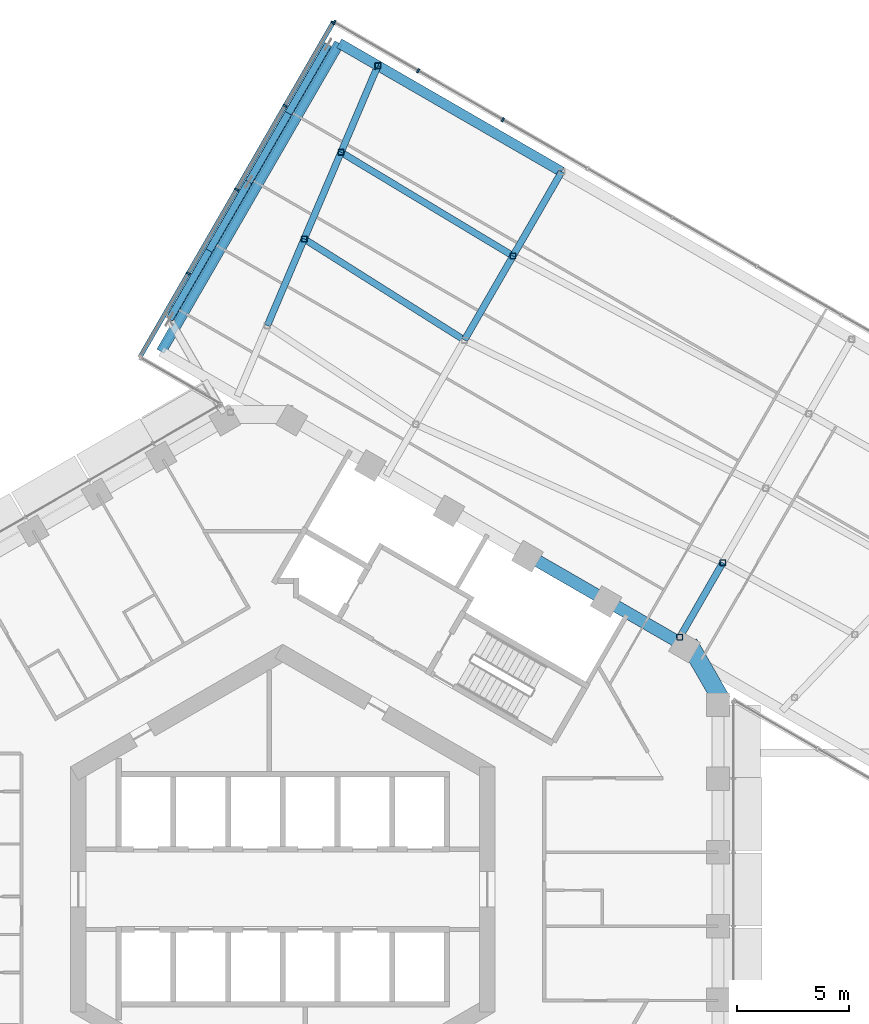
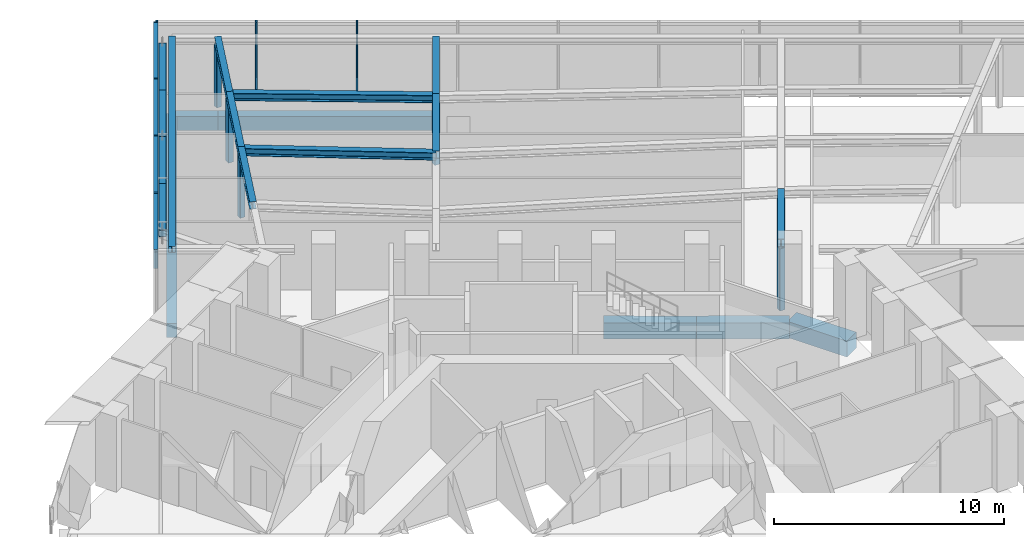
# One storey, part 6 of 28: 18 members, 15 beams, 2 elements without a shape of their own.
"""IFC4 building model written with IfcOpenShell, lengths in metres."""

from ifc_helpers import new_model, si_unit, direction, frame, origin, origin_2d, place, context, subcontext, project, spatial, rectangle, hollow_rectangle, i_section, extrude, material, layer, layer_set, material_profile, profile_set, type_object, element, aggregate, save


model = new_model("IFC4")

# Units and contexts
model_context = context("Model", 3, precision=1e-05, world=origin(), true_north=direction((0.0, 1.0)))
body_context = subcontext(model_context, "Body", "Model", "MODEL_VIEW")
ifc_project = project(units=[si_unit("LENGTHUNIT", "METRE"), si_unit("AREAUNIT", "SQUARE_METRE"), si_unit("VOLUMEUNIT", "CUBIC_METRE"), si_unit("PLANEANGLEUNIT", "RADIAN"), si_unit("MASSUNIT", "GRAM", prefix="KILO")], contexts=[model_context])

# Site, building, storey
site_placement = place(None, origin())
site = spatial("IfcSite", under=ifc_project, at=site_placement, CompositionType="ELEMENT")
building_placement = place(site_placement, origin())
building = spatial("IfcBuilding", under=site, at=building_placement, Name="Ayvan Gate Tower", CompositionType="ELEMENT")
storey_placement = place(building_placement, frame((0.0, 0.0, 143.89990234375)))
storey = spatial("IfcBuildingStorey", under=building, at=storey_placement, Name="L38", CompositionType="ELEMENT", Elevation=143.89990234375)

# Beams
ifc_material_1 = material(Name="Concrete C40/50", Category="concrete")
ifc_material_profile_1 = material_profile(ifc_material_1, rectangle(XDim=0.800048828125, YDim=0.85009765625, at=origin_2d()), Name="RC 800x850")
ifc_profile_set_1 = profile_set([ifc_material_profile_1], Name="Concrete C40/50")
beam_type_1 = type_object("IfcBeamType", Name="Corner spandrel beam RC 800x850 C40/50", PredefinedType="BEAM", material=ifc_profile_set_1)
beam_1_placement = place(storey_placement, frame((19.676025390625, 8.419189453125, -0.824951171875), z_axis=(-0.50002537861, 0.866010750942, 0.0), x_axis=(-0.866010750942, -0.50002537861, 0.0)))
element("IfcBeam", 1, at=beam_1_placement, inside=storey, type_object=beam_type_1, Name="SB-L38-6", PredefinedType="BEAM", context=body_context, shape_type="SweptSolid", body=[
    extrude(rectangle(XDim=0.800048828125, YDim=0.85009765625, at=origin_2d()), origin(), (0.0, 0.0, 1.0), 2.999755859375),
])
ifc_material_profile_2 = material_profile(ifc_material_1, rectangle(XDim=0.449951171875, YDim=0.75, at=origin_2d()), Name="RC 450x750")
ifc_profile_set_2 = profile_set([ifc_material_profile_2], Name="Concrete C40/50")
beam_type_2 = type_object("IfcBeamType", Name="Sky bar edge beam RC 450x750 C40/50", PredefinedType="BEAM", material=ifc_profile_set_2)
beam_2_placement = place(storey_placement, frame((-5.44384765625, 24.071044921875, -0.77490234375), z_axis=(0.500005296564, 0.86602234579, 0.0), x_axis=(-0.86602234579, 0.500005296564, 0.0)))
element("IfcBeam", 2, at=beam_2_placement, inside=storey, type_object=beam_type_2, Name="EB-B3-L38-2", PredefinedType="BEAM", context=body_context, shape_type="SweptSolid", body=[
    extrude(rectangle(XDim=0.449951171875, YDim=0.75, at=origin_2d()), origin(), (0.0, 0.0, 1.0), 15.939697265625),
])
beam_3_placement = place(storey_placement, frame((2.526123046875, 37.875244140625, -0.77490234375), z_axis=(0.866010750942, -0.50002537861, 0.0), x_axis=(0.50002537861, 0.866010750942, 0.0)))
element("IfcBeam", 3, at=beam_3_placement, inside=storey, type_object=beam_type_2, Name="EB-B3-L38-3", PredefinedType="BEAM", context=body_context, shape_type="SweptSolid", body=[
    extrude(rectangle(XDim=0.449951171875, YDim=0.75, at=origin_2d()), origin(), (0.0, 0.0, 1.0), 2.0),
])
beam_4_placement = place(storey_placement, frame((4.258056640625, 36.875244140625, -0.77490234375), z_axis=(0.86602681393, -0.499997557548, 0.0), x_axis=(0.499997557548, 0.86602681393, 0.0)))
element("IfcBeam", 4, at=beam_4_placement, inside=storey, type_object=beam_type_2, Name="EB-B3-L38-4", PredefinedType="BEAM", context=body_context, shape_type="SweptSolid", body=[
    extrude(rectangle(XDim=0.449951171875, YDim=0.75, at=origin_2d()), origin(), (0.0, 0.0, 1.0), 9.5),
])
ifc_material_2 = material(Name="Steel S460ML", Category="steel")
ifc_material_profile_3 = material_profile(ifc_material_2, i_section(OverallWidth=0.300048828125, OverallDepth=0.39990234375, WebThickness=0.013427734375, FlangeThickness=0.02392578125, FilletRadius=0.027099609375, at=origin_2d()), Name="HE 400 B")
ifc_profile_set_3 = profile_set([ifc_material_profile_3], Name="Steel S460ML")
beam_type_3 = type_object("IfcBeamType", Name="Sky bar roof beam B3 HE 400 B", PredefinedType="BEAM", material=ifc_profile_set_3)
beam_5_placement = place(storey_placement, frame((17.775390625, 11.287841796875, 3.5), z_axis=(0.500006057782, 0.866021906294, 0.0), x_axis=(-0.866021906294, 0.500006057782, 0.0)))
element("IfcBeam", 5, at=beam_5_placement, inside=storey, type_object=beam_type_3, Name="RB-B3-SBT3-2-1", PredefinedType="BEAM", context=body_context, shape_type="SweptSolid", body=[
    extrude(i_section(OverallWidth=0.300048828125, OverallDepth=0.39990234375, WebThickness=0.013427734375, FlangeThickness=0.02392578125, FilletRadius=0.027099609375, at=origin_2d()), origin(), (0.0, 0.0, 1.0), 3.85009765625),
])
for number, where, z_axis, x_axis, name in (
    (6, (8.132568359375, 24.5859375, 3.5), (0.499963591512, 0.866046423214, 0.0), (-0.866046423214, 0.499963591512, 0.0), "RB-B3-SBT3-3-3"),
    (7, (10.308837890625, 28.355712890625, 3.5), (0.500029944444, 0.866008114662, 0.0), (-0.866008114662, 0.500029944444, 0.0), "RB-B3-SBT3-3-4"),
):
    element("IfcBeam", number, at=place(storey_placement, frame(where, z_axis=z_axis, x_axis=x_axis)), inside=storey, type_object=beam_type_3, Name=name, PredefinedType="BEAM", context=body_context, shape_type="SweptSolid", body=[
        extrude(i_section(OverallWidth=0.300048828125, OverallDepth=0.39990234375, WebThickness=0.013427734375, FlangeThickness=0.02392578125, FilletRadius=0.027099609375, at=origin_2d()), origin(), (0.0, 0.0, 1.0), 4.352783203125),
    ])
for number, where, z_axis, x_axis, name in (
    (8, (-0.691162109375, 25.236328125, 3.5), (0.391303728863, 0.920261588777, 0.0), (-0.920261588777, 0.391303728863, 0.0), "RB-B3-SBT3-4-2"),
    (9, (0.95849609375, 29.115966796875, 3.5), (0.391352770832, 0.920240734136, 0.0), (-0.920240734136, 0.391352770832, 0.0), "RB-B3-SBT3-4-3"),
    (10, (2.6083984375, 32.99560546875, 3.5), (0.391303728863, 0.920261588777, 0.0), (-0.920261588777, 0.391303728863, 0.0), "RB-B3-SBT3-4-4"),
):
    element("IfcBeam", number, at=place(storey_placement, frame(where, z_axis=z_axis, x_axis=x_axis)), inside=storey, type_object=beam_type_3, Name=name, PredefinedType="BEAM", context=body_context, shape_type="SweptSolid", body=[
        extrude(i_section(OverallWidth=0.300048828125, OverallDepth=0.39990234375, WebThickness=0.013427734375, FlangeThickness=0.02392578125, FilletRadius=0.027099609375, at=origin_2d()), origin(), (0.0, 0.0, 1.0), 4.2158203125),
    ])
beam_6_placement = place(storey_placement, frame((10.308837890625, 28.355712890625, 3.5), z_axis=(-0.856528182715, 0.516100254035, 0.0), x_axis=(-0.516100254035, -0.856528182715, 0.0)))
element("IfcBeam", 11, at=beam_6_placement, inside=storey, type_object=beam_type_3, Name="RX-B3-34-2", PredefinedType="BEAM", context=body_context, shape_type="SweptSolid", body=[
    extrude(i_section(OverallWidth=0.300048828125, OverallDepth=0.39990234375, WebThickness=0.013427734375, FlangeThickness=0.02392578125, FilletRadius=0.027099609375, at=origin_2d()), origin(), (0.0, 0.0, 1.0), 8.990234375),
])
beam_7_placement = place(storey_placement, frame((8.132568359375, 24.5859375, 3.5), z_axis=(-0.84554018051, 0.53391179341, 0.0), x_axis=(-0.53391179341, -0.84554018051, 0.0)))
element("IfcBeam", 12, at=beam_7_placement, inside=storey, type_object=beam_type_3, Name="RX-B3-34-3", PredefinedType="BEAM", context=body_context, shape_type="SweptSolid", body=[
    extrude(i_section(OverallWidth=0.300048828125, OverallDepth=0.39990234375, WebThickness=0.013427734375, FlangeThickness=0.02392578125, FilletRadius=0.027099609375, at=origin_2d()), origin(), (0.0, 0.0, 1.0), 8.484619140625),
])
ifc_material_profile_4 = material_profile(ifc_material_2, i_section(OverallWidth=0.300048828125, OverallDepth=0.340087890625, WebThickness=0.011962890625, FlangeThickness=0.021484375, FilletRadius=0.027099609375, at=origin_2d()), Name="HE 340 B")
ifc_profile_set_4 = profile_set([ifc_material_profile_4], Name="Steel S460ML")
beam_type_4 = type_object("IfcBeamType", Name="Sky bar roof edge beam B3 HE 340 B", PredefinedType="BEAM", material=ifc_profile_set_4)
beam_8_placement = place(storey_placement, frame((-5.44384765625, 24.071044921875, 3.530029296875), z_axis=(0.500005296564, 0.86602234579, 0.0), x_axis=(-0.86602234579, 0.500005296564, 0.0)))
element("IfcBeam", 13, at=beam_8_placement, inside=storey, type_object=beam_type_4, Name="RE-B3-1-2", PredefinedType="BEAM", context=body_context, shape_type="SweptSolid", body=[
    extrude(i_section(OverallWidth=0.300048828125, OverallDepth=0.340087890625, WebThickness=0.011962890625, FlangeThickness=0.021484375, FilletRadius=0.027099609375, at=origin_2d()), origin(), (0.0, 0.0, 1.0), 15.939697265625),
])

# Members
ifc_material_3 = material(Name="Steel S460NH", Category="steel")
ifc_material_profile_5 = material_profile(ifc_material_3, hollow_rectangle(XDim=0.260009765625, YDim=0.260009765625, WallThickness=0.012451171875, InnerFilletRadius=0.012451171875, OuterFilletRadius=0.018798828125, at=origin_2d()), Name="RHS 260x260x12.5")
ifc_profile_set_5 = profile_set([ifc_material_profile_5], Name="Steel S460NH")
member_type_1 = type_object("IfcMemberType", Name="Sky bar roof post B3 RHS 260x260x12.5", PredefinedType="POST", material=ifc_profile_set_5)
for number, where, z_axis, x_axis, name in (
    (14, (17.775390625, 11.287841796875, 0.0), (0.0, 0.0, 1.0), (1.0, 0.0, 0.0), "RP-B3-SBT3-2-1"),
    (15, (19.700439453125, 14.6220703125, 0.0), (0.0, 0.0, 1.0), (1.0, 0.0, 0.0), "RP-B3-SBT3-2-2"),
    (16, (10.308837890625, 28.355712890625, 0.0), (0.0, 0.0, 1.0), (1.0, 0.0, 0.0), "RP-B3-SBT3-3-3"),
    (17, (0.95849609375, 29.115966796875, 0.0), (0.0, 0.0, 1.0), (1.0, 0.0, 0.0), "RP-B3-SBT3-4-3"),
    (18, (2.6083984375, 32.99560546875, 0.0), (0.0, 0.0, 1.0), (1.0, 0.0, 0.0), "RP-B3-SBT3-4-4"),
    (19, (4.258056640625, 36.875244140625, 0.0), (0.0, 0.0, 1.0), (1.0, 0.0, 0.0), "RP-B3-SBT3-4-5"),
):
    element("IfcMember", number, at=place(storey_placement, frame(where, z_axis=z_axis, x_axis=x_axis)), inside=storey, type_object=member_type_1, Name=name, PredefinedType="POST", context=body_context, shape_type="SweptSolid", body=[
        extrude(hollow_rectangle(XDim=0.260009765625, YDim=0.260009765625, WallThickness=0.012451171875, InnerFilletRadius=0.012451171875, OuterFilletRadius=0.018798828125, at=origin_2d()), origin(), (0.0, 0.0, 1.0), 3.300048828125),
    ])
ifc_material_profile_6 = material_profile(ifc_material_3, hollow_rectangle(XDim=0.35009765625, YDim=0.35009765625, WallThickness=0.01611328125, InnerFilletRadius=0.01611328125, OuterFilletRadius=0.02392578125, at=origin_2d()), Name="RHS 350x350x16")
ifc_profile_set_6 = profile_set([ifc_material_profile_6], Name="Steel S460NH")
member_type_2 = type_object("IfcMemberType", Name="Sky bar truss brace B3 RHS 350x350x16", PredefinedType="BRACE", material=ifc_profile_set_6)
for number, where, z_axis, x_axis, name in (
    (20, (-5.07470703125, 25.520263671875, 3.375), (0.499970499736, 0.8660424351, 0.0), (-0.8660424351, 0.499970499736, 0.0), "SBX3-A-TC-2"),
    (21, (-3.2998046875, 28.5947265625, 3.375), (0.500022077904, 0.866012656725, 0.0), (-0.866012656725, 0.500022077904, 0.0), "SBX3-A-TC-3"),
    (22, (-1.524658203125, 31.669189453125, 3.375), (0.499970499736, 0.8660424351, 0.0), (-0.8660424351, 0.499970499736, 0.0), "SBX3-A-TC-4"),
):
    element("IfcMember", number, at=place(storey_placement, frame(where, z_axis=z_axis, x_axis=x_axis)), inside=storey, type_object=member_type_2, Name=name, PredefinedType="CHORD", context=body_context, shape_type="SweptSolid", body=[
        extrude(hollow_rectangle(XDim=0.35009765625, YDim=0.35009765625, WallThickness=0.01611328125, InnerFilletRadius=0.01611328125, OuterFilletRadius=0.02392578125, at=origin_2d()), origin(), (0.0, 0.0, 1.0), 3.550048828125),
    ])
member_1_placement = place(storey_placement, frame((0.250244140625, 34.74365234375, 3.375), z_axis=(0.500051858269, 0.865995461329, 0.0), x_axis=(-0.865995461329, 0.500051858269, 0.0)))
element("IfcMember", 23, at=member_1_placement, inside=storey, type_object=member_type_2, Name="SBX3-A-TC-5", PredefinedType="CHORD", context=body_context, shape_type="SweptSolid", body=[
    extrude(hollow_rectangle(XDim=0.35009765625, YDim=0.35009765625, WallThickness=0.01611328125, InnerFilletRadius=0.01611328125, OuterFilletRadius=0.02392578125, at=origin_2d()), origin(), (0.0, 0.0, 1.0), 3.5498046875),
])

# Beams
ifc_material_profile_7 = material_profile(ifc_material_1, rectangle(XDim=0.550048828125, YDim=0.85009765625, at=origin_2d()), Name="RC 550x850")
ifc_profile_set_7 = profile_set([ifc_material_profile_7], Name="Concrete C40/50")
beam_type_5 = type_object("IfcBeamType", Name="Spandrel beam RC 550x850 C40/50", PredefinedType="BEAM", material=ifc_profile_set_7)
beam_9_placement = place(storey_placement, frame((17.985595703125, 10.9072265625, -0.824951171875), z_axis=(-0.866037985928, 0.499978206455, 0.0), x_axis=(-0.499978206455, -0.866037985928, 0.0)))
element("IfcBeam", 24, at=beam_9_placement, inside=storey, type_object=beam_type_5, Name="SB-L38-7", PredefinedType="BEAM", context=body_context, shape_type="SweptSolid", body=[
    extrude(rectangle(XDim=0.550048828125, YDim=0.85009765625, at=origin_2d()), origin(), (0.0, 0.0, 1.0), 4.049072265625),
])
beam_10_placement = place(storey_placement, frame((14.47900390625, 12.931640625, -0.824951171875), z_axis=(-0.866022911947, 0.500004315964, 0.0), x_axis=(-0.500004315964, -0.866022911947, 0.0)))
element("IfcBeam", 25, at=beam_10_placement, inside=storey, type_object=beam_type_5, Name="SB-L38-8", PredefinedType="BEAM", context=body_context, shape_type="SweptSolid", body=[
    extrude(rectangle(XDim=0.550048828125, YDim=0.85009765625, at=origin_2d()), origin(), (0.0, 0.0, 1.0), 4.048828125),
])

# Curtain wall, members
ifc_material_4 = material(Name="Bronze anodised aluminium", Category="aluminium")
ifc_layer = layer(ifc_material_4, 0.199951171875)
ifc_layer_set = layer_set([ifc_layer], Name="Bronze anodised aluminium")
curtain_wall_type = type_object("IfcCurtainWallType", Name="Stick curtain wall CW-4", PredefinedType="NOTDEFINED", material=ifc_layer_set)
curtain_wall_1_placement = place(storey_placement, origin())
curtain_wall_1 = element("IfcCurtainWall", 26, at=curtain_wall_1_placement, inside=storey, type_object=curtain_wall_type, Name="Stick curtain wall CW-4 L38", PredefinedType="NOTDEFINED")
ifc_material_profile_8 = material_profile(ifc_material_4, rectangle(XDim=0.199951171875, YDim=0.080078125, at=origin_2d()), Name="Stick curtain wall CW-4 mullion 200 x 80")
ifc_profile_set_8 = profile_set([ifc_material_profile_8], Name="Bronze anodised aluminium")
member_type_3 = type_object("IfcMemberType", Name="Stick curtain wall CW-4 mullion 200 x 80", PredefinedType="MULLION", material=ifc_profile_set_8)
member_2_placement = place(storey_placement, frame((9.852294921875, 34.45361328125, 0.0), z_axis=(0.0, 0.0, 1.0), x_axis=(0.5, 0.866025403784, 0.0)))
member_2 = element("IfcMember", 27, at=member_2_placement, type_object=member_type_3, Name="CW-4 mullion 8", PredefinedType="MULLION", context=body_context, shape_type="SweptSolid", body=[
    extrude(rectangle(XDim=0.199951171875, YDim=0.080078125, at=origin_2d()), origin(), (0.0, 0.0, 1.0), 4.0),
])
member_3_placement = place(storey_placement, frame((6.06103515625, 36.642578125, 0.0), z_axis=(0.0, 0.0, 1.0), x_axis=(0.5, 0.866025403784, 0.0)))
member_3 = element("IfcMember", 28, at=member_3_placement, type_object=member_type_3, Name="CW-4 mullion 9", PredefinedType="MULLION", context=body_context, shape_type="SweptSolid", body=[
    extrude(rectangle(XDim=0.199951171875, YDim=0.080078125, at=origin_2d()), origin(), (0.0, 0.0, 1.0), 4.0),
])
member_4_placement = place(storey_placement, frame((2.304443359375, 38.8115234375, 0.0), z_axis=(0.0, 0.0, 1.0), x_axis=(0.5, 0.866025403784, 0.0)))
member_4 = element("IfcMember", 29, at=member_4_placement, type_object=member_type_3, Name="CW-4 mullion 10", PredefinedType="MULLION", context=body_context, shape_type="SweptSolid", body=[
    extrude(rectangle(XDim=0.199951171875, YDim=0.080078125, at=origin_2d()), origin(), (0.0, 0.0, 1.0), 4.0),
])
aggregate(curtain_wall_1, [member_2, member_3, member_4])

curtain_wall_2_placement = place(storey_placement, origin())
curtain_wall_2 = element("IfcCurtainWall", 30, at=curtain_wall_2_placement, inside=storey, type_object=curtain_wall_type, Name="Stick curtain wall CW-4 L38", PredefinedType="NOTDEFINED")
member_5_placement = place(storey_placement, frame((2.249755859375, 38.796875, 0.0), z_axis=(0.0, 0.0, 1.0), x_axis=(-0.866025403784, 0.5, 0.0)))
member_5 = element("IfcMember", 31, at=member_5_placement, type_object=member_type_3, Name="CW-4 mullion 1", PredefinedType="MULLION", context=body_context, shape_type="SweptSolid", body=[
    extrude(rectangle(XDim=0.199951171875, YDim=0.080078125, at=origin_2d()), origin(), (0.0, 0.0, 1.0), 4.0),
])
member_6_placement = place(storey_placement, frame((0.102294921875, 35.077392578125, 0.0), z_axis=(0.0, 0.0, 1.0), x_axis=(-0.866025403784, 0.5, 0.0)))
member_6 = element("IfcMember", 32, at=member_6_placement, type_object=member_type_3, Name="CW-4 mullion 2", PredefinedType="MULLION", context=body_context, shape_type="SweptSolid", body=[
    extrude(rectangle(XDim=0.199951171875, YDim=0.080078125, at=origin_2d()), origin(), (0.0, 0.0, 1.0), 4.0),
])
member_7_placement = place(storey_placement, frame((-2.065185546875, 31.3232421875, 0.0), z_axis=(0.0, 0.0, 1.0), x_axis=(-0.866025403784, 0.5, 0.0)))
member_7 = element("IfcMember", 33, at=member_7_placement, type_object=member_type_3, Name="CW-4 mullion 3", PredefinedType="MULLION", context=body_context, shape_type="SweptSolid", body=[
    extrude(rectangle(XDim=0.199951171875, YDim=0.080078125, at=origin_2d()), origin(), (0.0, 0.0, 1.0), 4.0),
])
member_8_placement = place(storey_placement, frame((-4.232421875, 27.569091796875, 0.0), z_axis=(0.0, 0.0, 1.0), x_axis=(-0.866025403784, 0.5, 0.0)))
member_8 = element("IfcMember", 34, at=member_8_placement, type_object=member_type_3, Name="CW-4 mullion 4", PredefinedType="MULLION", context=body_context, shape_type="SweptSolid", body=[
    extrude(rectangle(XDim=0.199951171875, YDim=0.080078125, at=origin_2d()), origin(), (0.0, 0.0, 1.0), 4.0),
])
ifc_material_profile_9 = material_profile(ifc_material_4, rectangle(XDim=0.199951171875, YDim=0.139892578125, at=origin_2d()), Name="Stick curtain wall CW-4 transom 200 x 140")
ifc_profile_set_9 = profile_set([ifc_material_profile_9], Name="Bronze anodised aluminium")
member_type_4 = type_object("IfcMemberType", Name="Stick curtain wall CW-4 transom 200 x 140", PredefinedType="USERDEFINED", material=ifc_profile_set_9)
member_9_placement = place(storey_placement, frame((2.249755859375, 38.796875, 3.93017578125), z_axis=(-0.499992649245, -0.866029647703, 0.0), x_axis=(0.866029647703, -0.499992649245, 0.0)))
member_9 = element("IfcMember", 35, at=member_9_placement, type_object=member_type_4, Name="CW-4 transom 1", ObjectType="TRANSOM", PredefinedType="USERDEFINED", context=body_context, shape_type="SweptSolid", body=[
    extrude(rectangle(XDim=0.199951171875, YDim=0.139892578125, at=origin_2d()), origin(), (0.0, 0.0, 1.0), 17.259521484375),
])
aggregate(curtain_wall_2, [member_5, member_6, member_7, member_8, member_9])

save(model, "model.ifc")
